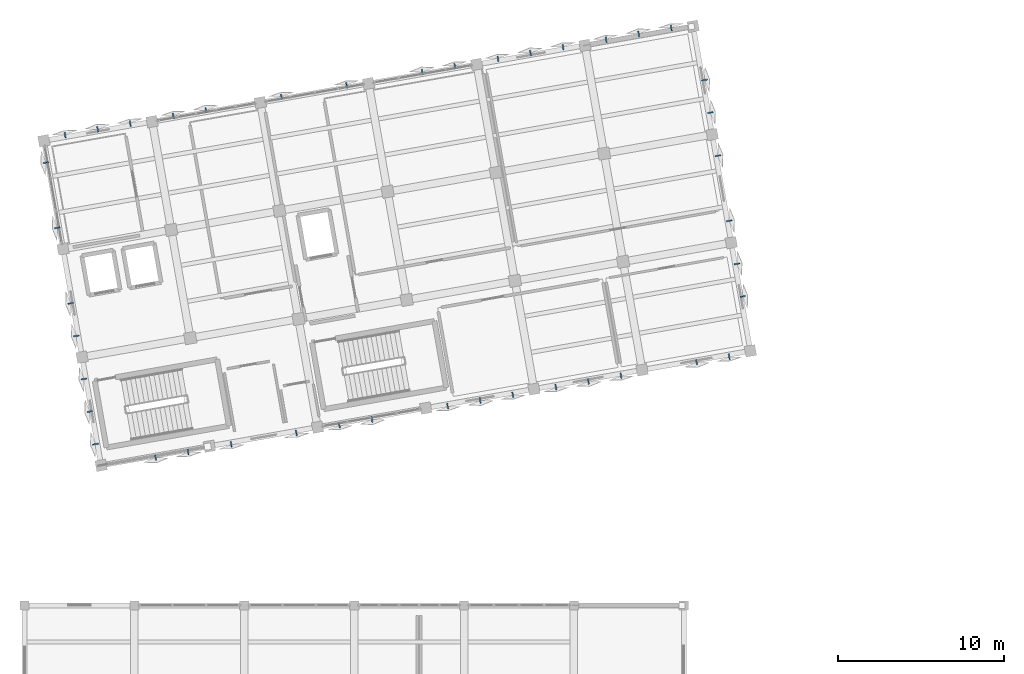
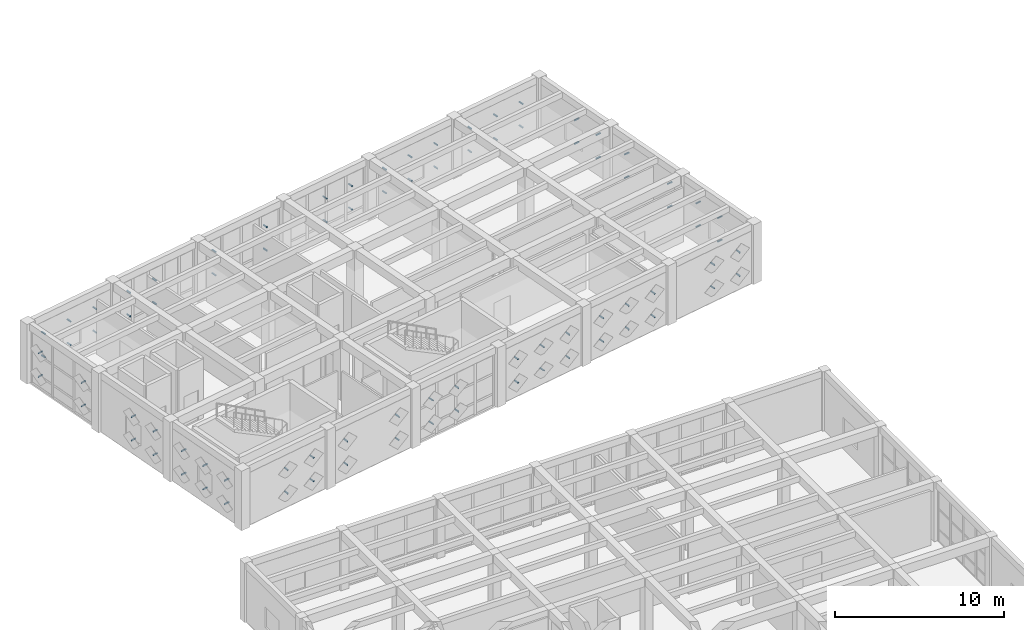
# One storey, part 43 of 48: 84 discrete accessories.
"""IFC4 building model written with IfcOpenShell, lengths in metres."""

from ifc_helpers import new_model, si_unit, direction, frame, origin, origin_2d, place, context, subcontext, project, spatial, hollow_rectangle, extrude, material, type_object, element, save


model = new_model("IFC4")

# Units and contexts
model_context = context("Model", 3, precision=1e-05, world=origin(), true_north=direction((0.0, 1.0)))
body_context = subcontext(model_context, "Body", "Model", "MODEL_VIEW")
ifc_project = project(units=[si_unit("LENGTHUNIT", "METRE"), si_unit("AREAUNIT", "SQUARE_METRE"), si_unit("VOLUMEUNIT", "CUBIC_METRE"), si_unit("PLANEANGLEUNIT", "RADIAN"), si_unit("MASSUNIT", "GRAM", prefix="KILO")], contexts=[model_context])

# Site, building, storey
site_placement = place(None, origin())
site = spatial("IfcSite", under=ifc_project, at=site_placement, CompositionType="ELEMENT")
building_placement = place(site_placement, origin())
building = spatial("IfcBuilding", under=site, at=building_placement, Name="Kharisveld Research Institute", CompositionType="ELEMENT")
storey_placement = place(building_placement, frame((0.0, 0.0, 14.10009765625)))
storey = spatial("IfcBuildingStorey", under=building, at=storey_placement, Name="L03", CompositionType="ELEMENT", Elevation=14.10009765625)

# Discrete accessories
ifc_material = material(Name="Steel S355JR", Category="steel")
discrete_accessory_type = type_object("IfcDiscreteAccessoryType", Name="BKT_ST_260", PredefinedType="BRACKET")
for number, where, z_axis, x_axis, name in (
    (1, (5.031005859375, 36.313720703125, 1.0498046875), (-0.984804615622, -0.173665969752, 0.0), (0.173665969752, -0.984804615622, 0.0), "BKT-SHD:V1:L03:W0:S0C0"),
    (2, (5.031005859375, 36.313720703125, 2.75), (-0.984804615622, -0.173665969752, 0.0), (0.173665969752, -0.984804615622, 0.0), "BKT-SHD:V1:L03:W0:S0C1"),
    (3, (4.68603515625, 38.270263671875, 1.0498046875), (-0.984804615622, -0.173665969752, 0.0), (0.173665969752, -0.984804615622, 0.0), "BKT-SHD:V1:L03:W0:S1C0"),
    (4, (4.68603515625, 38.270263671875, 2.75), (-0.984804615622, -0.173665969752, 0.0), (0.173665969752, -0.984804615622, 0.0), "BKT-SHD:V1:L03:W0:S1C1"),
    (5, (4.341064453125, 40.226806640625, 1.0498046875), (-0.984804615622, -0.173665969752, 0.0), (0.173665969752, -0.984804615622, 0.0), "BKT-SHD:V1:L03:W0:S2C0"),
    (6, (4.341064453125, 40.226806640625, 2.75), (-0.984804615622, -0.173665969752, 0.0), (0.173665969752, -0.984804615622, 0.0), "BKT-SHD:V1:L03:W0:S2C1"),
    (7, (3.885009765625, 42.8134765625, 1.0498046875), (-0.984804615622, -0.173665969752, 0.0), (0.173665969752, -0.984804615622, 0.0), "BKT-SHD:V1:L03:W1:S0C0"),
    (8, (3.885009765625, 42.8134765625, 2.75), (-0.984804615622, -0.173665969752, 0.0), (0.173665969752, -0.984804615622, 0.0), "BKT-SHD:V1:L03:W1:S0C1"),
    (9, (3.5400390625, 44.77001953125, 1.0498046875), (-0.984804615622, -0.173665969752, 0.0), (0.173665969752, -0.984804615622, 0.0), "BKT-SHD:V1:L03:W1:S1C0"),
    (10, (3.5400390625, 44.77001953125, 2.75), (-0.984804615622, -0.173665969752, 0.0), (0.173665969752, -0.984804615622, 0.0), "BKT-SHD:V1:L03:W1:S1C1"),
):
    element("IfcDiscreteAccessory", number, at=place(storey_placement, frame(where, z_axis=z_axis, x_axis=x_axis)), inside=storey, type_object=discrete_accessory_type, material=ifc_material, Name=name, ObjectType="BRACKET", PredefinedType="BRACKET", context=body_context, shape_type="SweptSolid", body=[
        extrude(hollow_rectangle(XDim=0.080078125, YDim=0.080078125, WallThickness=0.0048828125, at=origin_2d()), origin(), (0.0, 0.0, 1.0), 0.35009765625),
    ])
for number, where, z_axis, x_axis, name in (
    (11, (2.73876953125, 49.313232421875, 1.0498046875), (-0.984783558818, -0.173785333909, 0.0), (0.173785333909, -0.984783558818, 0.0), "BKT-SHD:V1:L03:W2:S0C0"),
    (12, (2.73876953125, 49.313232421875, 2.75), (-0.984783558818, -0.173785333909, 0.0), (0.173785333909, -0.984783558818, 0.0), "BKT-SHD:V1:L03:W2:S0C1"),
    (13, (2.048828125, 53.226318359375, 1.0498046875), (-0.984783558818, -0.173785333909, 0.0), (0.173785333909, -0.984783558818, 0.0), "BKT-SHD:V1:L03:W2:S2C0"),
    (14, (2.048828125, 53.226318359375, 2.75), (-0.984783558818, -0.173785333909, 0.0), (0.173785333909, -0.984783558818, 0.0), "BKT-SHD:V1:L03:W2:S2C1"),
):
    element("IfcDiscreteAccessory", number, at=place(storey_placement, frame(where, z_axis=z_axis, x_axis=x_axis)), inside=storey, type_object=discrete_accessory_type, material=ifc_material, Name=name, ObjectType="BRACKET", PredefinedType="BRACKET", context=body_context, shape_type="SweptSolid", body=[
        extrude(hollow_rectangle(XDim=0.080078125, YDim=0.080078125, WallThickness=0.0048828125, at=origin_2d()), origin(), (0.0, 0.0, 1.0), 0.349853515625),
    ])
for number, where, z_axis, x_axis, name in (
    (15, (3.065673828125, 54.67822265625, 1.0498046875), (-0.173665969752, 0.984804615622, 0.0), (-0.984804615622, -0.173665969752, 0.0), "BKT-SHD:V1:L03:N0:S0C0"),
    (16, (3.065673828125, 54.67822265625, 2.75), (-0.173665969752, 0.984804615622, 0.0), (-0.984804615622, -0.173665969752, 0.0), "BKT-SHD:V1:L03:N0:S0C1"),
    (17, (5.02197265625, 55.023193359375, 1.0498046875), (-0.173665969752, 0.984804615622, 0.0), (-0.984804615622, -0.173665969752, 0.0), "BKT-SHD:V1:L03:N0:S1C0"),
    (18, (5.02197265625, 55.023193359375, 2.75), (-0.173665969752, 0.984804615622, 0.0), (-0.984804615622, -0.173665969752, 0.0), "BKT-SHD:V1:L03:N0:S1C1"),
    (19, (6.978515625, 55.3681640625, 1.0498046875), (-0.173665969752, 0.984804615622, 0.0), (-0.984804615622, -0.173665969752, 0.0), "BKT-SHD:V1:L03:N0:S2C0"),
    (20, (6.978515625, 55.3681640625, 2.75), (-0.173665969752, 0.984804615622, 0.0), (-0.984804615622, -0.173665969752, 0.0), "BKT-SHD:V1:L03:N0:S2C1"),
    (21, (9.565185546875, 55.82421875, 1.0498046875), (-0.172989428414, 0.984923681133, 0.0), (-0.984923681133, -0.172989428414, 0.0), "BKT-SHD:V1:L03:N1:S0C0"),
    (22, (9.565185546875, 55.82421875, 2.75), (-0.172989428414, 0.984923681133, 0.0), (-0.984923681133, -0.172989428414, 0.0), "BKT-SHD:V1:L03:N1:S0C1"),
    (23, (11.521728515625, 56.169189453125, 1.0498046875), (-0.173665969752, 0.984804615622, 0.0), (-0.984804615622, -0.173665969752, 0.0), "BKT-SHD:V1:L03:N1:S1C0"),
    (24, (11.521728515625, 56.169189453125, 2.75), (-0.173665969752, 0.984804615622, 0.0), (-0.984804615622, -0.173665969752, 0.0), "BKT-SHD:V1:L03:N1:S1C1"),
    (25, (16.06494140625, 56.97021484375, 1.0498046875), (-0.173665969752, 0.984804615622, 0.0), (-0.984804615622, -0.173665969752, 0.0), "BKT-SHD:V1:L03:N2:S0C0"),
    (26, (16.06494140625, 56.97021484375, 2.75), (-0.173665969752, 0.984804615622, 0.0), (-0.984804615622, -0.173665969752, 0.0), "BKT-SHD:V1:L03:N2:S0C1"),
):
    element("IfcDiscreteAccessory", number, at=place(storey_placement, frame(where, z_axis=z_axis, x_axis=x_axis)), inside=storey, type_object=discrete_accessory_type, material=ifc_material, Name=name, ObjectType="BRACKET", PredefinedType="BRACKET", context=body_context, shape_type="SweptSolid", body=[
        extrude(hollow_rectangle(XDim=0.080078125, YDim=0.080078125, WallThickness=0.0048828125, at=origin_2d()), origin(), (0.0, 0.0, 1.0), 0.35009765625),
    ])
for number, where, z_axis, x_axis, name in (
    (27, (19.97802734375, 57.660400390625, 1.0498046875), (-0.173785333909, 0.984783558818, 0.0), (-0.984783558818, -0.173785333909, 0.0), "BKT-SHD:V1:L03:N2:S2C0"),
    (28, (19.97802734375, 57.660400390625, 2.75), (-0.173785333909, 0.984783558818, 0.0), (-0.984783558818, -0.173785333909, 0.0), "BKT-SHD:V1:L03:N2:S2C1"),
):
    element("IfcDiscreteAccessory", number, at=place(storey_placement, frame(where, z_axis=z_axis, x_axis=x_axis)), inside=storey, type_object=discrete_accessory_type, material=ifc_material, Name=name, ObjectType="BRACKET", PredefinedType="BRACKET", context=body_context, shape_type="SweptSolid", body=[
        extrude(hollow_rectangle(XDim=0.080078125, YDim=0.080078125, WallThickness=0.0048828125, at=origin_2d()), origin(), (0.0, 0.0, 1.0), 0.349853515625),
    ])
for number, where, z_axis, x_axis, name in (
    (29, (24.521240234375, 58.46142578125, 1.0498046875), (-0.173665969752, 0.984804615622, 0.0), (-0.984804615622, -0.173665969752, 0.0), "BKT-SHD:V1:L03:N3:S1C0"),
    (30, (24.521240234375, 58.46142578125, 2.75), (-0.173665969752, 0.984804615622, 0.0), (-0.984804615622, -0.173665969752, 0.0), "BKT-SHD:V1:L03:N3:S1C1"),
    (31, (26.477783203125, 58.806396484375, 1.0498046875), (-0.173665969752, 0.984804615622, 0.0), (-0.984804615622, -0.173665969752, 0.0), "BKT-SHD:V1:L03:N3:S2C0"),
    (32, (26.477783203125, 58.806396484375, 2.75), (-0.173665969752, 0.984804615622, 0.0), (-0.984804615622, -0.173665969752, 0.0), "BKT-SHD:V1:L03:N3:S2C1"),
    (33, (29.064453125, 59.262451171875, 1.0498046875), (-0.173665969752, 0.984804615622, 0.0), (-0.984804615622, -0.173665969752, 0.0), "BKT-SHD:V1:L03:N4:S0C0"),
    (34, (29.064453125, 59.262451171875, 2.75), (-0.173665969752, 0.984804615622, 0.0), (-0.984804615622, -0.173665969752, 0.0), "BKT-SHD:V1:L03:N4:S0C1"),
    (35, (31.02099609375, 59.607421875, 1.0498046875), (-0.173665969752, 0.984804615622, 0.0), (-0.984804615622, -0.173665969752, 0.0), "BKT-SHD:V1:L03:N4:S1C0"),
    (36, (31.02099609375, 59.607421875, 2.75), (-0.173665969752, 0.984804615622, 0.0), (-0.984804615622, -0.173665969752, 0.0), "BKT-SHD:V1:L03:N4:S1C1"),
    (37, (32.9775390625, 59.952392578125, 1.0498046875), (-0.173665969752, 0.984804615622, 0.0), (-0.984804615622, -0.173665969752, 0.0), "BKT-SHD:V1:L03:N4:S2C0"),
    (38, (32.9775390625, 59.952392578125, 2.75), (-0.173665969752, 0.984804615622, 0.0), (-0.984804615622, -0.173665969752, 0.0), "BKT-SHD:V1:L03:N4:S2C1"),
    (39, (35.564208984375, 60.408447265625, 1.0498046875), (-0.173665969752, 0.984804615622, 0.0), (-0.984804615622, -0.173665969752, 0.0), "BKT-SHD:V1:L03:N5:S0C0"),
    (40, (35.564208984375, 60.408447265625, 2.75), (-0.173665969752, 0.984804615622, 0.0), (-0.984804615622, -0.173665969752, 0.0), "BKT-SHD:V1:L03:N5:S0C1"),
    (41, (37.520751953125, 60.75341796875, 1.0498046875), (-0.173665969752, 0.984804615622, 0.0), (-0.984804615622, -0.173665969752, 0.0), "BKT-SHD:V1:L03:N5:S1C0"),
    (42, (37.520751953125, 60.75341796875, 2.75), (-0.173665969752, 0.984804615622, 0.0), (-0.984804615622, -0.173665969752, 0.0), "BKT-SHD:V1:L03:N5:S1C1"),
):
    element("IfcDiscreteAccessory", number, at=place(storey_placement, frame(where, z_axis=z_axis, x_axis=x_axis)), inside=storey, type_object=discrete_accessory_type, material=ifc_material, Name=name, ObjectType="BRACKET", PredefinedType="BRACKET", context=body_context, shape_type="SweptSolid", body=[
        extrude(hollow_rectangle(XDim=0.080078125, YDim=0.080078125, WallThickness=0.0048828125, at=origin_2d()), origin(), (0.0, 0.0, 1.0), 0.35009765625),
    ])
for number, where, z_axis, x_axis, name in (
    (43, (39.477294921875, 61.0986328125, 1.0498046875), (-0.173785333909, 0.984783558818, 0.0), (-0.984783558818, -0.173785333909, 0.0), "BKT-SHD:V1:L03:N5:S2C0"),
    (44, (39.477294921875, 61.0986328125, 2.75), (-0.173785333909, 0.984783558818, 0.0), (-0.984783558818, -0.173785333909, 0.0), "BKT-SHD:V1:L03:N5:S2C1"),
):
    element("IfcDiscreteAccessory", number, at=place(storey_placement, frame(where, z_axis=z_axis, x_axis=x_axis)), inside=storey, type_object=discrete_accessory_type, material=ifc_material, Name=name, ObjectType="BRACKET", PredefinedType="BRACKET", context=body_context, shape_type="SweptSolid", body=[
        extrude(hollow_rectangle(XDim=0.080078125, YDim=0.080078125, WallThickness=0.0048828125, at=origin_2d()), origin(), (0.0, 0.0, 1.0), 0.349853515625),
    ])
for number, where, z_axis, x_axis, name in (
    (45, (41.274169921875, 58.12548828125, 1.0498046875), (0.984923681133, 0.172989428414, 0.0), (-0.172989428414, 0.984923681133, 0.0), "BKT-SHD:V1:L03:E3:S1C0"),
    (46, (41.274169921875, 58.12548828125, 2.75), (0.984923681133, 0.172989428414, 0.0), (-0.172989428414, 0.984923681133, 0.0), "BKT-SHD:V1:L03:E3:S1C1"),
    (47, (41.619140625, 56.1689453125, 1.0498046875), (0.984804615622, 0.173665969752, 0.0), (-0.173665969752, 0.984804615622, 0.0), "BKT-SHD:V1:L03:E3:S2C0"),
    (48, (41.619140625, 56.1689453125, 2.75), (0.984804615622, 0.173665969752, 0.0), (-0.173665969752, 0.984804615622, 0.0), "BKT-SHD:V1:L03:E3:S2C1"),
    (49, (42.0751953125, 53.58203125, 1.0498046875), (0.984804615622, 0.173665969752, 0.0), (-0.173665969752, 0.984804615622, 0.0), "BKT-SHD:V1:L03:E2:S0C0"),
    (50, (42.0751953125, 53.58203125, 2.75), (0.984804615622, 0.173665969752, 0.0), (-0.173665969752, 0.984804615622, 0.0), "BKT-SHD:V1:L03:E2:S0C1"),
    (51, (42.76513671875, 49.669189453125, 1.0498046875), (0.984804615622, 0.173665969752, 0.0), (-0.173665969752, 0.984804615622, 0.0), "BKT-SHD:V1:L03:E2:S2C0"),
    (52, (42.76513671875, 49.669189453125, 2.75), (0.984804615622, 0.173665969752, 0.0), (-0.173665969752, 0.984804615622, 0.0), "BKT-SHD:V1:L03:E2:S2C1"),
    (53, (43.22119140625, 47.08251953125, 1.0498046875), (0.984923681133, 0.172989428414, 0.0), (-0.172989428414, 0.984923681133, 0.0), "BKT-SHD:V1:L03:E1:S0C0"),
    (54, (43.22119140625, 47.08251953125, 2.75), (0.984923681133, 0.172989428414, 0.0), (-0.172989428414, 0.984923681133, 0.0), "BKT-SHD:V1:L03:E1:S0C1"),
    (55, (43.566162109375, 45.1259765625, 1.0498046875), (0.984804615622, 0.173665969752, 0.0), (-0.173665969752, 0.984804615622, 0.0), "BKT-SHD:V1:L03:E1:S1C0"),
    (56, (43.566162109375, 45.1259765625, 2.75), (0.984804615622, 0.173665969752, 0.0), (-0.173665969752, 0.984804615622, 0.0), "BKT-SHD:V1:L03:E1:S1C1"),
    (57, (42.89453125, 41.717529296875, 1.0498046875), (0.173665969752, -0.984804615622, 0.0), (0.984804615622, 0.173665969752, 0.0), "BKT-SHD:V1:L03:S6:S0C0"),
    (58, (42.89453125, 41.717529296875, 2.75), (0.173665969752, -0.984804615622, 0.0), (0.984804615622, 0.173665969752, 0.0), "BKT-SHD:V1:L03:S6:S0C1"),
    (59, (40.93798828125, 41.37255859375, 1.0498046875), (0.173665969752, -0.984804615622, 0.0), (0.984804615622, 0.173665969752, 0.0), "BKT-SHD:V1:L03:S6:S1C0"),
    (60, (40.93798828125, 41.37255859375, 2.75), (0.173665969752, -0.984804615622, 0.0), (0.984804615622, 0.173665969752, 0.0), "BKT-SHD:V1:L03:S6:S1C1"),
    (61, (36.394775390625, 40.571533203125, 1.0498046875), (0.173665969752, -0.984804615622, 0.0), (0.984804615622, 0.173665969752, 0.0), "BKT-SHD:V1:L03:S5:S0C0"),
    (62, (36.394775390625, 40.571533203125, 2.75), (0.173665969752, -0.984804615622, 0.0), (0.984804615622, 0.173665969752, 0.0), "BKT-SHD:V1:L03:S5:S0C1"),
):
    element("IfcDiscreteAccessory", number, at=place(storey_placement, frame(where, z_axis=z_axis, x_axis=x_axis)), inside=storey, type_object=discrete_accessory_type, material=ifc_material, Name=name, ObjectType="BRACKET", PredefinedType="BRACKET", context=body_context, shape_type="SweptSolid", body=[
        extrude(hollow_rectangle(XDim=0.080078125, YDim=0.080078125, WallThickness=0.0048828125, at=origin_2d()), origin(), (0.0, 0.0, 1.0), 0.35009765625),
    ])
for number, where, z_axis, x_axis, name in (
    (63, (34.4384765625, 40.226318359375, 1.0498046875), (0.173785333909, -0.984783558818, 0.0), (0.984783558818, 0.173785333909, 0.0), "BKT-SHD:V1:L03:S5:S1C0"),
    (64, (34.4384765625, 40.226318359375, 2.75), (0.173785333909, -0.984783558818, 0.0), (0.984783558818, 0.173785333909, 0.0), "BKT-SHD:V1:L03:S5:S1C1"),
    (65, (32.48193359375, 39.88134765625, 1.0498046875), (0.173785333909, -0.984783558818, 0.0), (0.984783558818, 0.173785333909, 0.0), "BKT-SHD:V1:L03:S5:S2C0"),
    (66, (32.48193359375, 39.88134765625, 2.75), (0.173785333909, -0.984783558818, 0.0), (0.984783558818, 0.173785333909, 0.0), "BKT-SHD:V1:L03:S5:S2C1"),
):
    element("IfcDiscreteAccessory", number, at=place(storey_placement, frame(where, z_axis=z_axis, x_axis=x_axis)), inside=storey, type_object=discrete_accessory_type, material=ifc_material, Name=name, ObjectType="BRACKET", PredefinedType="BRACKET", context=body_context, shape_type="SweptSolid", body=[
        extrude(hollow_rectangle(XDim=0.080078125, YDim=0.080078125, WallThickness=0.0048828125, at=origin_2d()), origin(), (0.0, 0.0, 1.0), 0.349853515625),
    ])
for number, where, z_axis, x_axis, name in (
    (67, (29.89501953125, 39.42529296875, 1.0498046875), (0.173665969752, -0.984804615622, 0.0), (0.984804615622, 0.173665969752, 0.0), "BKT-SHD:V1:L03:S4:S0C0"),
    (68, (29.89501953125, 39.42529296875, 2.75), (0.173665969752, -0.984804615622, 0.0), (0.984804615622, 0.173665969752, 0.0), "BKT-SHD:V1:L03:S4:S0C1"),
    (69, (27.938720703125, 39.080322265625, 1.0498046875), (0.173665969752, -0.984804615622, 0.0), (0.984804615622, 0.173665969752, 0.0), "BKT-SHD:V1:L03:S4:S1C0"),
    (70, (27.938720703125, 39.080322265625, 2.75), (0.173665969752, -0.984804615622, 0.0), (0.984804615622, 0.173665969752, 0.0), "BKT-SHD:V1:L03:S4:S1C1"),
    (71, (25.982177734375, 38.7353515625, 1.0498046875), (0.173665969752, -0.984804615622, 0.0), (0.984804615622, 0.173665969752, 0.0), "BKT-SHD:V1:L03:S4:S2C0"),
    (72, (25.982177734375, 38.7353515625, 2.75), (0.173665969752, -0.984804615622, 0.0), (0.984804615622, 0.173665969752, 0.0), "BKT-SHD:V1:L03:S4:S2C1"),
    (73, (21.43896484375, 37.934326171875, 1.0498046875), (0.173665969752, -0.984804615622, 0.0), (0.984804615622, 0.173665969752, 0.0), "BKT-SHD:V1:L03:S3:S1C0"),
    (74, (21.43896484375, 37.934326171875, 2.75), (0.173665969752, -0.984804615622, 0.0), (0.984804615622, 0.173665969752, 0.0), "BKT-SHD:V1:L03:S3:S1C1"),
    (75, (19.482421875, 37.58935546875, 1.0498046875), (0.173665969752, -0.984804615622, 0.0), (0.984804615622, 0.173665969752, 0.0), "BKT-SHD:V1:L03:S3:S2C0"),
    (76, (19.482421875, 37.58935546875, 2.75), (0.173665969752, -0.984804615622, 0.0), (0.984804615622, 0.173665969752, 0.0), "BKT-SHD:V1:L03:S3:S2C1"),
    (77, (16.895751953125, 37.13330078125, 1.0498046875), (0.173665969752, -0.984804615622, 0.0), (0.984804615622, 0.173665969752, 0.0), "BKT-SHD:V1:L03:S2:S0C0"),
    (78, (16.895751953125, 37.13330078125, 2.75), (0.173665969752, -0.984804615622, 0.0), (0.984804615622, 0.173665969752, 0.0), "BKT-SHD:V1:L03:S2:S0C1"),
):
    element("IfcDiscreteAccessory", number, at=place(storey_placement, frame(where, z_axis=z_axis, x_axis=x_axis)), inside=storey, type_object=discrete_accessory_type, material=ifc_material, Name=name, ObjectType="BRACKET", PredefinedType="BRACKET", context=body_context, shape_type="SweptSolid", body=[
        extrude(hollow_rectangle(XDim=0.080078125, YDim=0.080078125, WallThickness=0.0048828125, at=origin_2d()), origin(), (0.0, 0.0, 1.0), 0.35009765625),
    ])
for number, where, z_axis, x_axis, name in (
    (79, (12.982666015625, 36.443115234375, 1.0498046875), (0.173785333909, -0.984783558818, 0.0), (0.984783558818, 0.173785333909, 0.0), "BKT-SHD:V1:L03:S2:S2C0"),
    (80, (12.982666015625, 36.443115234375, 2.75), (0.173785333909, -0.984783558818, 0.0), (0.984783558818, 0.173785333909, 0.0), "BKT-SHD:V1:L03:S2:S2C1"),
):
    element("IfcDiscreteAccessory", number, at=place(storey_placement, frame(where, z_axis=z_axis, x_axis=x_axis)), inside=storey, type_object=discrete_accessory_type, material=ifc_material, Name=name, ObjectType="BRACKET", PredefinedType="BRACKET", context=body_context, shape_type="SweptSolid", body=[
        extrude(hollow_rectangle(XDim=0.080078125, YDim=0.080078125, WallThickness=0.0048828125, at=origin_2d()), origin(), (0.0, 0.0, 1.0), 0.349853515625),
    ])
for number, where, z_axis, x_axis, name in (
    (81, (10.39599609375, 35.987060546875, 1.0498046875), (0.173665969752, -0.984804615622, 0.0), (0.984804615622, 0.173665969752, 0.0), "BKT-SHD:V1:L03:S1:S0C0"),
    (82, (10.39599609375, 35.987060546875, 2.75), (0.173665969752, -0.984804615622, 0.0), (0.984804615622, 0.173665969752, 0.0), "BKT-SHD:V1:L03:S1:S0C1"),
    (83, (8.439453125, 35.64208984375, 1.0498046875), (0.173665969752, -0.984804615622, 0.0), (0.984804615622, 0.173665969752, 0.0), "BKT-SHD:V1:L03:S1:S1C0"),
    (84, (8.439453125, 35.64208984375, 2.75), (0.173665969752, -0.984804615622, 0.0), (0.984804615622, 0.173665969752, 0.0), "BKT-SHD:V1:L03:S1:S1C1"),
):
    element("IfcDiscreteAccessory", number, at=place(storey_placement, frame(where, z_axis=z_axis, x_axis=x_axis)), inside=storey, type_object=discrete_accessory_type, material=ifc_material, Name=name, ObjectType="BRACKET", PredefinedType="BRACKET", context=body_context, shape_type="SweptSolid", body=[
        extrude(hollow_rectangle(XDim=0.080078125, YDim=0.080078125, WallThickness=0.0048828125, at=origin_2d()), origin(), (0.0, 0.0, 1.0), 0.35009765625),
    ])

save(model, "model.ifc")
